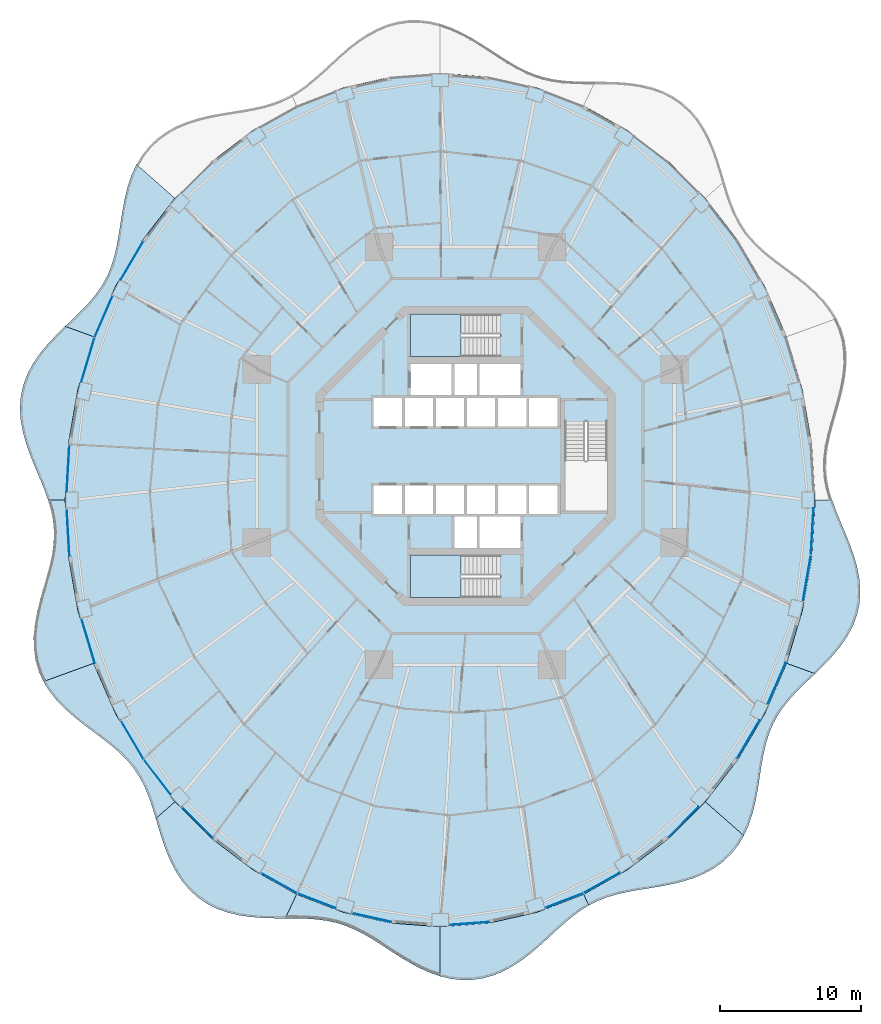
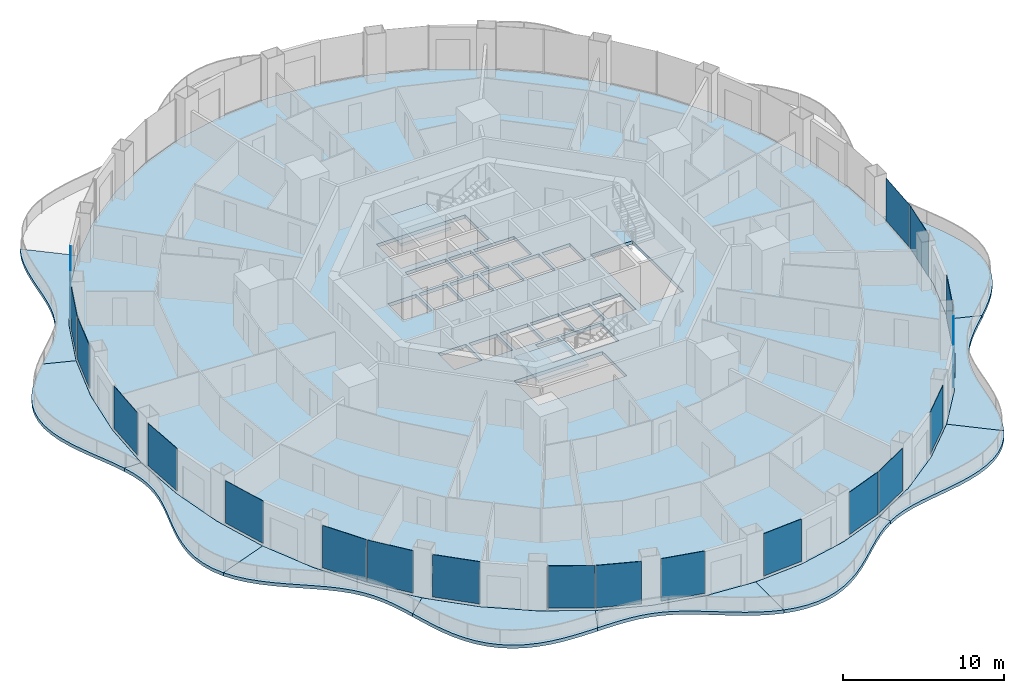
# One storey, part 11 of 21: 20 plates, 13 slabs, 22 elements without a shape of their own.
"""IFC4 building model written with IfcOpenShell, lengths in metres."""

from ifc_helpers import new_model, si_unit, direction, frame, origin, origin_2d, place, context, subcontext, project, spatial, polyline, rectangle, outline, extrude, material, layer, layer_set, type_object, element, aggregate, save


model = new_model("IFC4")

# Units and contexts
model_context = context("Model", 3, precision=1e-05, world=origin(), true_north=direction((0.0, 1.0)))
body_context = subcontext(model_context, "Body", "Model", "MODEL_VIEW")
ifc_project = project(units=[si_unit("LENGTHUNIT", "METRE"), si_unit("AREAUNIT", "SQUARE_METRE"), si_unit("VOLUMEUNIT", "CUBIC_METRE"), si_unit("PLANEANGLEUNIT", "RADIAN"), si_unit("MASSUNIT", "GRAM", prefix="KILO")], contexts=[model_context])

# Site, building, storey
site_placement = place(None, origin())
site = spatial("IfcSite", under=ifc_project, at=site_placement, CompositionType="ELEMENT")
building_placement = place(site_placement, origin())
building = spatial("IfcBuilding", under=site, at=building_placement, Name="Nagisa Residences", CompositionType="ELEMENT")
storey_placement = place(building_placement, frame((0.0, 0.0, 156.60009765625)))
storey = spatial("IfcBuildingStorey", under=building, at=storey_placement, Name="L39", CompositionType="ELEMENT", Elevation=156.60009765625)

# Slabs
ifc_material_1 = material(Name="Concrete C40/50", Category="concrete")
ifc_layer_1 = layer(ifc_material_1, 0.25)
ifc_layer_set_1 = layer_set([ifc_layer_1], Name="BALCONY SLAB 250")
slab_type_1 = type_object("IfcSlabType", Name="BALCONY SLAB 250", PredefinedType="FLOOR", material=ifc_layer_set_1)
slab_1_placement = place(storey_placement, frame((0.0, 0.0, -0.25)))
element("IfcSlab", 1, at=slab_1_placement, inside=storey, type_object=slab_type_1, Name="slab:L39:bal06", PredefinedType="FLOOR", context=body_context, shape_type="SweptSolid", body=[
    extrude(outline(polyline([(-23.28857421875, 20.62841796875), (-23.631103515625, 19.866943359375), (-23.899169921875, 19.0615234375), (-24.105224609375, 18.22802734375), (-24.265625, 17.382568359375), (-24.399169921875, 16.54052734375), (-24.526123046875, 15.71533203125), (-24.666748046875, 14.91796875), (-24.83984375, 14.156005859375), (-25.061279296875, 13.43359375), (-25.34326171875, 12.751220703125), (-25.693359375, 12.10595703125), (-26.11279296875, 11.4921875), (-26.59814453125, 10.90185546875), (-27.1396484375, 10.324951171875), (-27.722900390625, 9.751220703125), (-28.32958984375, 9.170654296875), (-26.315185546875, 8.4375), (-24.780029296875, 11.979736328125), (-22.8515625, 15.263916015625), (-20.56298828125, 18.2333984375), (-23.28857421875, 20.62841796875)])), origin(), (0.0, 0.0, 1.0), 0.25),
])
slab_2_placement = place(storey_placement, frame((0.0, 0.0, -0.25)))
element("IfcSlab", 2, at=slab_2_placement, inside=storey, type_object=slab_type_1, Name="slab:L39:bal07", PredefinedType="FLOOR", context=body_context, shape_type="SweptSolid", body=[
    extrude(outline(polyline([(-28.32958984375, 9.170654296875), (-28.95751953125, 8.554443359375), (-29.562255859375, 7.912841796875), (-30.119140625, 7.23974609375), (-30.604736328125, 6.531982421875), (-30.999755859375, 5.789794921875), (-31.2890625, 5.015380859375), (-31.46435546875, 4.213623046875), (-31.52392578125, 3.39111328125), (-31.472412109375, 2.555908203125), (-31.321533203125, 1.715576171875), (-31.088623046875, 0.877685546875), (-30.7958984375, 0.048828125), (-30.46826171875, -0.7666015625), (-30.13232421875, -1.56591796875), (-29.8134765625, -2.348876953125), (-29.535888671875, -3.11767578125), (-28.3349609375, -3.11767578125), (-28.10791015625, 0.823486328125), (-27.430908203125, 4.697265625), (-26.315185546875, 8.4375), (-28.32958984375, 9.170654296875)])), origin(), (0.0, 0.0, 1.0), 0.25),
])
slab_3_placement = place(storey_placement, frame((0.0, 0.0, -0.25)))
element("IfcSlab", 3, at=slab_3_placement, inside=storey, type_object=slab_type_1, Name="slab:L39:bal08", PredefinedType="FLOOR", context=body_context, shape_type="SweptSolid", body=[
    extrude(outline(polyline([(-29.535888671875, -3.11767578125), (-29.31884765625, -3.875732421875), (-29.176513671875, -4.62841796875), (-29.116943359375, -5.3818359375), (-29.140869140625, -6.141845703125), (-29.24267578125, -6.9140625), (-29.409423828125, -7.702880859375), (-29.623046875, -8.510498046875), (-29.861572265625, -9.337158203125), (-30.09912109375, -10.1806640625), (-30.31005859375, -11.035888671875), (-30.46923828125, -11.896484375), (-30.5537109375, -12.75390625), (-30.545166015625, -13.598388671875), (-30.4306640625, -14.4208984375), (-30.203857421875, -15.212158203125), (-29.86474609375, -15.96484375), (-26.315185546875, -14.6728515625), (-27.430908203125, -10.9326171875), (-28.10791015625, -7.058837890625), (-28.3349609375, -3.11767578125), (-29.535888671875, -3.11767578125)])), origin(), (0.0, 0.0, 1.0), 0.25),
])
slab_4_placement = place(storey_placement, frame((0.0, 0.0, -0.25)))
element("IfcSlab", 4, at=slab_4_placement, inside=storey, type_object=slab_type_1, Name="slab:L39:bal09", PredefinedType="FLOOR", context=body_context, shape_type="SweptSolid", body=[
    extrude(outline(polyline([(-29.86474609375, -15.96484375), (-29.43505859375, -16.65283203125), (-28.91796875, -17.2978515625), (-28.329345703125, -17.900634765625), (-27.688720703125, -18.465087890625), (-27.017822265625, -18.998046875), (-26.338623046875, -19.50830078125), (-25.672119140625, -20.00732421875), (-25.03759765625, -20.5068359375), (-24.449951171875, -21.019775390625), (-23.92041015625, -21.557373046875), (-23.4541015625, -22.13037109375), (-23.052001953125, -22.74560546875), (-22.70849609375, -23.407470703125), (-22.414306640625, -24.116455078125), (-22.155029296875, -24.86865234375), (-21.91455078125, -25.65625), (-20.56298828125, -24.46875), (-22.8515625, -21.499267578125), (-24.780029296875, -18.215087890625), (-26.315185546875, -14.6728515625), (-29.86474609375, -15.96484375)])), origin(), (0.0, 0.0, 1.0), 0.25),
])
slab_5_placement = place(storey_placement, frame((0.0, 0.0, -0.25)))
element("IfcSlab", 5, at=slab_5_placement, inside=storey, type_object=slab_type_1, Name="slab:L39:bal10", PredefinedType="FLOOR", context=body_context, shape_type="SweptSolid", body=[
    extrude(outline(polyline([(-21.91455078125, -25.65625), (-21.685546875, -26.429443359375), (-21.4404296875, -27.211181640625), (-21.163818359375, -27.987060546875), (-20.842041015625, -28.7412109375), (-20.4638671875, -29.457763671875), (-20.021484375, -30.121826171875), (-19.510986328125, -30.72021484375), (-18.931884765625, -31.242431640625), (-18.287353515625, -31.681640625), (-17.584228515625, -32.03466796875), (-16.83203125, -32.303466796875), (-16.042236328125, -32.493408203125), (-15.227294921875, -32.614990234375), (-14.400146484375, -32.681396484375), (-13.572998046875, -32.708984375), (-12.756591796875, -32.716064453125), (-11.95458984375, -31.01416015625), (-15.0673828125, -29.267333984375), (-17.953369140625, -27.072998046875), (-20.56298828125, -24.46875), (-21.91455078125, -25.65625)])), origin(), (0.0, 0.0, 1.0), 0.25),
])
slab_6_placement = place(storey_placement, frame((0.0, 0.0, -0.25)))
element("IfcSlab", 6, at=slab_6_placement, inside=storey, type_object=slab_type_1, Name="slab:L39:bal11", PredefinedType="FLOOR", context=body_context, shape_type="SweptSolid", body=[
    extrude(outline(polyline([(-12.756591796875, -32.716064453125), (-11.988037109375, -32.72119140625), (-11.24267578125, -32.741455078125), (-10.523193359375, -32.791259765625), (-9.830322265625, -32.8837890625), (-9.161376953125, -33.028076171875), (-8.512451171875, -33.229736328125), (-7.877685546875, -33.490478515625), (-7.250244140625, -33.806640625), (-6.62255859375, -34.1708984375), (-5.987548828125, -34.572021484375), (-5.339599609375, -34.995361328125), (-4.67333984375, -35.423828125), (-3.986328125, -35.83837890625), (-3.277099609375, -36.219970703125), (-2.54736328125, -36.550048828125), (-1.800048828125, -36.811767578125), (-1.800048828125, -33.312744140625), (-5.263427734375, -33.054443359375), (-8.667724609375, -32.283935546875), (-11.95458984375, -31.01416015625), (-12.756591796875, -32.716064453125)])), origin(), (0.0, 0.0, 1.0), 0.25),
])
slab_7_placement = place(storey_placement, frame((0.0, 0.0, -0.25)))
element("IfcSlab", 7, at=slab_7_placement, inside=storey, type_object=slab_type_1, Name="slab:L39:bal12", PredefinedType="FLOOR", context=body_context, shape_type="SweptSolid", body=[
    extrude(outline(polyline([(-1.800048828125, -36.811767578125), (-1.040283203125, -36.9912109375), (-0.274658203125, -37.078125), (0.489990234375, -37.06591796875), (1.24609375, -36.953125), (1.986328125, -36.742431640625), (2.705078125, -36.44091796875), (3.397705078125, -36.060302734375), (4.061767578125, -35.61474609375), (4.69677734375, -35.121826171875), (5.3046875, -34.599365234375), (5.8896484375, -34.06640625), (6.4580078125, -33.541259765625), (7.016845703125, -33.039794921875), (7.574951171875, -32.57568359375), (8.14111328125, -32.1591796875), (8.723388671875, -31.796875), (8.3544921875, -31.01416015625), (5.06787109375, -32.283935546875), (1.66357421875, -33.054443359375), (-1.800048828125, -33.312744140625), (-1.800048828125, -36.811767578125)])), origin(), (0.0, 0.0, 1.0), 0.25),
])
slab_8_placement = place(storey_placement, frame((0.0, 0.0, -0.25)))
element("IfcSlab", 8, at=slab_8_placement, inside=storey, type_object=slab_type_1, Name="slab:L39:bal13", PredefinedType="FLOOR", context=body_context, shape_type="SweptSolid", body=[
    extrude(outline(polyline([(8.723388671875, -31.796875), (9.3525390625, -31.480712890625), (10.012939453125, -31.22265625), (10.708251953125, -31.01611328125), (11.438720703125, -30.8505859375), (12.201171875, -30.7119140625), (12.98974609375, -30.583984375), (13.795166015625, -30.449951171875), (14.605712890625, -30.292236328125), (15.40771484375, -30.09521484375), (16.1865234375, -29.844970703125), (16.92822265625, -29.530029296875), (17.618896484375, -29.1435546875), (18.247314453125, -28.68115234375), (18.804443359375, -28.14404296875), (19.285400390625, -27.53564453125), (19.6884765625, -26.86376953125), (16.963134765625, -24.46875), (14.353515625, -27.072998046875), (11.467529296875, -29.267333984375), (8.3544921875, -31.01416015625), (8.723388671875, -31.796875)])), origin(), (0.0, 0.0, 1.0), 0.25),
])
slab_9_placement = place(storey_placement, frame((0.0, 0.0, -0.25)))
element("IfcSlab", 9, at=slab_9_placement, inside=storey, type_object=slab_type_1, Name="slab:L39:bal14", PredefinedType="FLOOR", context=body_context, shape_type="SweptSolid", body=[
    extrude(outline(polyline([(19.6884765625, -26.86376953125), (20.031005859375, -26.102294921875), (20.299072265625, -25.296875), (20.505126953125, -24.46337890625), (20.66552734375, -23.617919921875), (20.799072265625, -22.77587890625), (20.926025390625, -21.95068359375), (21.066650390625, -21.1533203125), (21.23974609375, -20.391357421875), (21.461181640625, -19.6689453125), (21.743408203125, -18.986572265625), (22.09326171875, -18.34130859375), (22.512939453125, -17.727783203125), (22.998046875, -17.13720703125), (23.53955078125, -16.560302734375), (24.123046875, -15.986572265625), (24.7294921875, -15.406005859375), (22.715087890625, -14.6728515625), (21.179931640625, -18.215087890625), (19.251708984375, -21.499267578125), (16.963134765625, -24.46875), (19.6884765625, -26.86376953125)])), origin(), (0.0, 0.0, 1.0), 0.25),
])
slab_10_placement = place(storey_placement, frame((0.0, 0.0, -0.25)))
element("IfcSlab", 10, at=slab_10_placement, inside=storey, type_object=slab_type_1, Name="slab:L39:bal15", PredefinedType="FLOOR", context=body_context, shape_type="SweptSolid", body=[
    extrude(outline(polyline([(24.7294921875, -15.406005859375), (25.357421875, -14.7900390625), (25.96240234375, -14.148193359375), (26.51904296875, -13.47509765625), (27.0048828125, -12.767578125), (27.399658203125, -12.025146484375), (27.68896484375, -11.250732421875), (27.864501953125, -10.448974609375), (27.923828125, -9.62646484375), (27.872314453125, -8.791259765625), (27.721435546875, -7.950927734375), (27.48876953125, -7.11328125), (27.196044921875, -6.2841796875), (26.868408203125, -5.468994140625), (26.5322265625, -4.66943359375), (26.213623046875, -3.886474609375), (25.93603515625, -3.11767578125), (24.735107421875, -3.11767578125), (24.508056640625, -7.058837890625), (23.830810546875, -10.9326171875), (22.715087890625, -14.6728515625), (24.7294921875, -15.406005859375)])), origin(), (0.0, 0.0, 1.0), 0.25),
])

# Curtain wall, plate
ifc_material_2 = material(Name="Concrete-coloured aluminium curtain wall system", Category="concrete")
ifc_layer_2 = layer(ifc_material_2, 0.159912109375)
ifc_layer_set_2 = layer_set([ifc_layer_2], Name="CW1 CURTAIN WALL")
curtain_wall_type = type_object("IfcCurtainWallType", Name="CW1 CURTAIN WALL", PredefinedType="NOTDEFINED", material=ifc_layer_set_2)
curtain_wall_1_placement = place(storey_placement, origin())
curtain_wall_1 = element("IfcCurtainWall", 11, at=curtain_wall_1_placement, inside=storey, type_object=curtain_wall_type, Name="cw:CW1:L39:19", PredefinedType="NOTDEFINED")
ifc_material_3 = material(Name="Clear laminated glass", Category="glass")
ifc_layer_3 = layer(ifc_material_3, 0.028076171875)
ifc_layer_set_3 = layer_set([ifc_layer_3], Name="CW1 GLASS PANEL")
plate_type = type_object("IfcPlateType", Name="CW1 GLASS PANEL", PredefinedType="CURTAIN_PANEL", material=ifc_layer_set_3)
plate_1_placement = place(storey_placement, frame((-23.610107421875, 13.814208984375, 0.14990234375), z_axis=(0.0, 0.0, 1.0), x_axis=(-0.506348567002, -0.862328898214, 0.0)))
plate_1 = element("IfcPlate", 12, at=plate_1_placement, type_object=plate_type, Name="CW1 panel", PredefinedType="CURTAIN_PANEL", context=body_context, shape_type="SweptSolid", body=[
    extrude(rectangle(XDim=3.1484375, YDim=0.028076171875, at=origin_2d()), origin(), (0.0, 0.0, 1.0), 3.199951171875),
])
aggregate(curtain_wall_1, [plate_1])

curtain_wall_2_placement = place(storey_placement, origin())
curtain_wall_2 = element("IfcCurtainWall", 13, at=curtain_wall_2_placement, inside=storey, type_object=curtain_wall_type, Name="cw:CW1:L39:20", PredefinedType="NOTDEFINED")
plate_2_placement = place(storey_placement, frame((-25.60546875, 9.8740234375, 0.14990234375), z_axis=(0.0, 0.0, 1.0), x_axis=(-0.397635934147, -0.917543276295, 0.0)))
plate_2 = element("IfcPlate", 14, at=plate_2_placement, type_object=plate_type, Name="CW1 panel", PredefinedType="CURTAIN_PANEL", context=body_context, shape_type="SweptSolid", body=[
    extrude(rectangle(XDim=3.20068359375, YDim=0.028076171875, at=origin_2d()), origin(), (0.0, 0.0, 1.0), 3.199951171875),
])
aggregate(curtain_wall_2, [plate_2])

curtain_wall_3_placement = place(storey_placement, origin())
curtain_wall_3 = element("IfcCurtainWall", 15, at=curtain_wall_3_placement, inside=storey, type_object=curtain_wall_type, Name="cw:CW1:L39:21", PredefinedType="NOTDEFINED")
plate_3_placement = place(storey_placement, frame((-26.71923828125, 6.80322265625, 0.14990234375), z_axis=(0.0, 0.0, 1.0), x_axis=(-0.285860274038, -0.958271310082, 0.0)))
plate_3 = element("IfcPlate", 16, at=plate_3_placement, type_object=plate_type, Name="CW1 panel", PredefinedType="CURTAIN_PANEL", context=body_context, shape_type="SweptSolid", body=[
    extrude(rectangle(XDim=3.242919921875, YDim=0.028076171875, at=origin_2d()), origin(), (0.0, 0.0, 1.0), 3.199951171875),
])
aggregate(curtain_wall_3, [plate_3])

curtain_wall_4_placement = place(storey_placement, origin())
curtain_wall_4 = element("IfcCurtainWall", 17, at=curtain_wall_4_placement, inside=storey, type_object=curtain_wall_type, Name="cw:CW1:L39:23", PredefinedType="NOTDEFINED")
plate_4_placement = place(storey_placement, frame((-28.126220703125, -0.882080078125, 0.14990234375), z_axis=(0.0, 0.0, 1.0), x_axis=(-0.057503492216, -0.998345305184, 0.0)))
plate_4 = element("IfcPlate", 18, at=plate_4_placement, type_object=plate_type, Name="CW1 panel", PredefinedType="CURTAIN_PANEL", context=body_context, shape_type="SweptSolid", body=[
    extrude(rectangle(XDim=3.287841796875, YDim=0.028076171875, at=origin_2d()), origin(), (0.0, 0.0, 1.0), 3.199951171875),
])
aggregate(curtain_wall_4, [plate_4])

curtain_wall_5_placement = place(storey_placement, origin())
curtain_wall_5 = element("IfcCurtainWall", 19, at=curtain_wall_5_placement, inside=storey, type_object=curtain_wall_type, Name="cw:CW1:L39:24", PredefinedType="NOTDEFINED")
plate_5_placement = place(storey_placement, frame((-28.12255859375, -5.4130859375, 0.14990234375), z_axis=(0.0, 0.0, 1.0), x_axis=(0.057503492216, -0.998345305184, 0.0)))
plate_5 = element("IfcPlate", 20, at=plate_5_placement, type_object=plate_type, Name="CW1 panel", PredefinedType="CURTAIN_PANEL", context=body_context, shape_type="SweptSolid", body=[
    extrude(rectangle(XDim=3.287841796875, YDim=0.028076171875, at=origin_2d()), origin(), (0.0, 0.0, 1.0), 3.199951171875),
])
aggregate(curtain_wall_5, [plate_5])

curtain_wall_6_placement = place(storey_placement, origin())
curtain_wall_6 = element("IfcCurtainWall", 21, at=curtain_wall_6_placement, inside=storey, type_object=curtain_wall_type, Name="cw:CW1:L39:26", PredefinedType="NOTDEFINED")
plate_6_placement = place(storey_placement, frame((-26.701904296875, -13.09619140625, 0.14990234375), z_axis=(0.0, 0.0, 1.0), x_axis=(0.285860274038, -0.958271310082, 0.0)))
plate_6 = element("IfcPlate", 22, at=plate_6_placement, type_object=plate_type, Name="CW1 panel", PredefinedType="CURTAIN_PANEL", context=body_context, shape_type="SweptSolid", body=[
    extrude(rectangle(XDim=3.242919921875, YDim=0.028076171875, at=origin_2d()), origin(), (0.0, 0.0, 1.0), 3.199951171875),
])
aggregate(curtain_wall_6, [plate_6])

curtain_wall_7_placement = place(storey_placement, origin())
curtain_wall_7 = element("IfcCurtainWall", 23, at=curtain_wall_7_placement, inside=storey, type_object=curtain_wall_type, Name="cw:CW1:L39:28", PredefinedType="NOTDEFINED")
plate_7_placement = place(storey_placement, frame((-23.579833984375, -20.101318359375, 0.14990234375), z_axis=(0.0, 0.0, 1.0), x_axis=(0.506348567002, -0.862328898214, 0.0)))
plate_7 = element("IfcPlate", 24, at=plate_7_placement, type_object=plate_type, Name="CW1 panel", PredefinedType="CURTAIN_PANEL", context=body_context, shape_type="SweptSolid", body=[
    extrude(rectangle(XDim=3.1484375, YDim=0.028076171875, at=origin_2d()), origin(), (0.0, 0.0, 1.0), 3.199951171875),
])
aggregate(curtain_wall_7, [plate_7])

curtain_wall_8_placement = place(storey_placement, origin())
curtain_wall_8 = element("IfcCurtainWall", 25, at=curtain_wall_8_placement, inside=storey, type_object=curtain_wall_type, Name="cw:CW1:L39:29", PredefinedType="NOTDEFINED")
plate_8_placement = place(storey_placement, frame((-21.808837890625, -22.721435546875, 0.14990234375), z_axis=(0.0, 0.0, 1.0), x_axis=(0.610429828235, -0.792070340816, 0.0)))
plate_8 = element("IfcPlate", 26, at=plate_8_placement, type_object=plate_type, Name="CW1 panel", PredefinedType="CURTAIN_PANEL", context=body_context, shape_type="SweptSolid", body=[
    extrude(rectangle(XDim=3.089111328125, YDim=0.028076171875, at=origin_2d()), origin(), (0.0, 0.0, 1.0), 3.199951171875),
])
aggregate(curtain_wall_8, [plate_8])

curtain_wall_9_placement = place(storey_placement, origin())
curtain_wall_9 = element("IfcCurtainWall", 27, at=curtain_wall_9_placement, inside=storey, type_object=curtain_wall_type, Name="cw:CW1:L39:30", PredefinedType="NOTDEFINED")
plate_9_placement = place(storey_placement, frame((-18.96826171875, -25.947265625, 0.14990234375), z_axis=(0.0, 0.0, 1.0), x_axis=(0.707835924016, -0.706376885714, 0.0)))
plate_9 = element("IfcPlate", 28, at=plate_9_placement, type_object=plate_type, Name="CW1 panel", PredefinedType="CURTAIN_PANEL", context=body_context, shape_type="SweptSolid", body=[
    extrude(rectangle(XDim=3.026611328125, YDim=0.028076171875, at=origin_2d()), origin(), (0.0, 0.0, 1.0), 3.199951171875),
])
aggregate(curtain_wall_9, [plate_9])

curtain_wall_10_placement = place(storey_placement, origin())
curtain_wall_10 = element("IfcCurtainWall", 29, at=curtain_wall_10_placement, inside=storey, type_object=curtain_wall_type, Name="cw:CW1:L39:32", PredefinedType="NOTDEFINED")
plate_10_placement = place(storey_placement, frame((-13.18408203125, -30.232421875, 0.14990234375), z_axis=(0.0, 0.0, 1.0), x_axis=(0.872072377523, -0.489376918501, 0.0)))
plate_10 = element("IfcPlate", 30, at=plate_10_placement, type_object=plate_type, Name="CW1 panel", PredefinedType="CURTAIN_PANEL", context=body_context, shape_type="SweptSolid", body=[
    extrude(rectangle(XDim=2.90966796875, YDim=0.028076171875, at=origin_2d()), origin(), (0.0, 0.0, 1.0), 3.199951171875),
])
aggregate(curtain_wall_10, [plate_10])

curtain_wall_11_placement = place(storey_placement, origin())
curtain_wall_11 = element("IfcCurtainWall", 31, at=curtain_wall_11_placement, inside=storey, type_object=curtain_wall_type, Name="cw:CW1:L39:33", PredefinedType="NOTDEFINED")
plate_11_placement = place(storey_placement, frame((-10.5341796875, -31.47705078125, 0.14990234375), z_axis=(0.0, 0.0, 1.0), x_axis=(0.932825759707, -0.360327770268, 0.0)))
plate_11 = element("IfcPlate", 32, at=plate_11_placement, type_object=plate_type, Name="CW1 panel", PredefinedType="CURTAIN_PANEL", context=body_context, shape_type="SweptSolid", body=[
    extrude(rectangle(XDim=2.863525390625, YDim=0.028076171875, at=origin_2d()), origin(), (0.0, 0.0, 1.0), 3.199951171875),
])
aggregate(curtain_wall_11, [plate_11])

curtain_wall_12_placement = place(storey_placement, origin())
curtain_wall_12 = element("IfcCurtainWall", 33, at=curtain_wall_12_placement, inside=storey, type_object=curtain_wall_type, Name="cw:CW1:L39:34", PredefinedType="NOTDEFINED")
plate_12_placement = place(storey_placement, frame((-6.626220703125, -32.663818359375, 0.14990234375), z_axis=(0.0, 0.0, 1.0), x_axis=(0.975327274089, -0.2207639201, 0.0)))
plate_12 = element("IfcPlate", 34, at=plate_12_placement, type_object=plate_type, Name="CW1 panel", PredefinedType="CURTAIN_PANEL", context=body_context, shape_type="SweptSolid", body=[
    extrude(rectangle(XDim=2.830322265625, YDim=0.028076171875, at=origin_2d()), origin(), (0.0, 0.0, 1.0), 3.199951171875),
])
aggregate(curtain_wall_12, [plate_12])

curtain_wall_13_placement = place(storey_placement, origin())
curtain_wall_13 = element("IfcCurtainWall", 35, at=curtain_wall_13_placement, inside=storey, type_object=curtain_wall_type, Name="cw:CW1:L39:36", PredefinedType="NOTDEFINED")
plate_13_placement = place(storey_placement, frame((0.2548828125, -33.0791015625, 0.14990234375), z_axis=(0.0, 0.0, 1.0), x_axis=(0.997230168512, 0.074377355493, 0.0)))
plate_13 = element("IfcPlate", 36, at=plate_13_placement, type_object=plate_type, Name="CW1 panel", PredefinedType="CURTAIN_PANEL", context=body_context, shape_type="SweptSolid", body=[
    extrude(rectangle(XDim=2.813232421875, YDim=0.028076171875, at=origin_2d()), origin(), (0.0, 0.0, 1.0), 3.199951171875),
])
aggregate(curtain_wall_13, [plate_13])

curtain_wall_14_placement = place(storey_placement, origin())
curtain_wall_14 = element("IfcCurtainWall", 37, at=curtain_wall_14_placement, inside=storey, type_object=curtain_wall_type, Name="cw:CW1:L39:38", PredefinedType="NOTDEFINED")
plate_14_placement = place(storey_placement, frame((6.990234375, -31.45556640625, 0.14990234375), z_axis=(0.0, 0.0, 1.0), x_axis=(0.932825759707, 0.360327770268, 0.0)))
plate_14 = element("IfcPlate", 38, at=plate_14_placement, type_object=plate_type, Name="CW1 panel", PredefinedType="CURTAIN_PANEL", context=body_context, shape_type="SweptSolid", body=[
    extrude(rectangle(XDim=2.863525390625, YDim=0.028076171875, at=origin_2d()), origin(), (0.0, 0.0, 1.0), 3.199951171875),
])
aggregate(curtain_wall_14, [plate_14])

curtain_wall_15_placement = place(storey_placement, origin())
curtain_wall_15 = element("IfcCurtainWall", 39, at=curtain_wall_15_placement, inside=storey, type_object=curtain_wall_type, Name="cw:CW1:L39:39", PredefinedType="NOTDEFINED")
plate_15_placement = place(storey_placement, frame((9.636474609375, -30.203125, 0.14990234375), z_axis=(0.0, 0.0, 1.0), x_axis=(0.872072377523, 0.489376918501, 0.0)))
plate_15 = element("IfcPlate", 40, at=plate_15_placement, type_object=plate_type, Name="CW1 panel", PredefinedType="CURTAIN_PANEL", context=body_context, shape_type="SweptSolid", body=[
    extrude(rectangle(XDim=2.90966796875, YDim=0.028076171875, at=origin_2d()), origin(), (0.0, 0.0, 1.0), 3.199951171875),
])
aggregate(curtain_wall_15, [plate_15])

curtain_wall_16_placement = place(storey_placement, origin())
curtain_wall_16 = element("IfcCurtainWall", 41, at=curtain_wall_16_placement, inside=storey, type_object=curtain_wall_type, Name="cw:CW1:L39:41", PredefinedType="NOTDEFINED")
plate_16_placement = place(storey_placement, frame((15.41064453125, -25.905029296875, 0.14990234375), z_axis=(0.0, 0.0, 1.0), x_axis=(0.707835924016, 0.706376885714, 0.0)))
plate_16 = element("IfcPlate", 42, at=plate_16_placement, type_object=plate_type, Name="CW1 panel", PredefinedType="CURTAIN_PANEL", context=body_context, shape_type="SweptSolid", body=[
    extrude(rectangle(XDim=3.026611328125, YDim=0.028076171875, at=origin_2d()), origin(), (0.0, 0.0, 1.0), 3.199951171875),
])
aggregate(curtain_wall_16, [plate_16])

curtain_wall_17_placement = place(storey_placement, origin())
curtain_wall_17 = element("IfcCurtainWall", 43, at=curtain_wall_17_placement, inside=storey, type_object=curtain_wall_type, Name="cw:CW1:L39:43", PredefinedType="NOTDEFINED")
plate_17_placement = place(storey_placement, frame((20.010009765625, -20.049560546875, 0.14990234375), z_axis=(0.0, 0.0, 1.0), x_axis=(0.506348567002, 0.862328898214, 0.0)))
plate_17 = element("IfcPlate", 44, at=plate_17_placement, type_object=plate_type, Name="CW1 panel", PredefinedType="CURTAIN_PANEL", context=body_context, shape_type="SweptSolid", body=[
    extrude(rectangle(XDim=3.1484375, YDim=0.028076171875, at=origin_2d()), origin(), (0.0, 0.0, 1.0), 3.199951171875),
])
aggregate(curtain_wall_17, [plate_17])

curtain_wall_18_placement = place(storey_placement, origin())
curtain_wall_18 = element("IfcCurtainWall", 45, at=curtain_wall_18_placement, inside=storey, type_object=curtain_wall_type, Name="cw:CW1:L39:44", PredefinedType="NOTDEFINED")
plate_18_placement = place(storey_placement, frame((22.00537109375, -16.109375, 0.14990234375), z_axis=(0.0, 0.0, 1.0), x_axis=(0.397635934147, 0.917543276295, 0.0)))
plate_18 = element("IfcPlate", 46, at=plate_18_placement, type_object=plate_type, Name="CW1 panel", PredefinedType="CURTAIN_PANEL", context=body_context, shape_type="SweptSolid", body=[
    extrude(rectangle(XDim=3.20068359375, YDim=0.028076171875, at=origin_2d()), origin(), (0.0, 0.0, 1.0), 3.199951171875),
])
aggregate(curtain_wall_18, [plate_18])

curtain_wall_19_placement = place(storey_placement, origin())
curtain_wall_19 = element("IfcCurtainWall", 47, at=curtain_wall_19_placement, inside=storey, type_object=curtain_wall_type, Name="cw:CW1:L39:46", PredefinedType="NOTDEFINED")
plate_19_placement = place(storey_placement, frame((24.1474609375, -8.656982421875, 0.14990234375), z_axis=(0.0, 0.0, 1.0), x_axis=(0.172190868898, 0.985063604377, 0.0)))
plate_19 = element("IfcPlate", 48, at=plate_19_placement, type_object=plate_type, Name="CW1 panel", PredefinedType="CURTAIN_PANEL", context=body_context, shape_type="SweptSolid", body=[
    extrude(rectangle(XDim=3.2724609375, YDim=0.028076171875, at=origin_2d()), origin(), (0.0, 0.0, 1.0), 3.199951171875),
])
aggregate(curtain_wall_19, [plate_19])

curtain_wall_20_placement = place(storey_placement, origin())
curtain_wall_20 = element("IfcCurtainWall", 49, at=curtain_wall_20_placement, inside=storey, type_object=curtain_wall_type, Name="cw:CW1:L39:47", PredefinedType="NOTDEFINED")
plate_20_placement = place(storey_placement, frame((24.526123046875, -5.353271484375, 0.14990234375), z_axis=(0.0, 0.0, 1.0), x_axis=(0.057503492216, 0.998345305184, 0.0)))
plate_20 = element("IfcPlate", 50, at=plate_20_placement, type_object=plate_type, Name="CW1 panel", PredefinedType="CURTAIN_PANEL", context=body_context, shape_type="SweptSolid", body=[
    extrude(rectangle(XDim=3.287841796875, YDim=0.028076171875, at=origin_2d()), origin(), (0.0, 0.0, 1.0), 3.199951171875),
])
aggregate(curtain_wall_20, [plate_20])

# Slab
ifc_material_4 = material(Name="Concrete C40", Category="concrete")
ifc_layer_4 = layer(ifc_material_4, 0.260009765625)
ifc_layer_set_4 = layer_set([ifc_layer_4], Name="Floor slab 260")
slab_type_2 = type_object("IfcSlabType", Name="Floor slab 260", PredefinedType="FLOOR", material=ifc_layer_set_4)
slab_11_placement = place(storey_placement, frame((0.0, 0.0, -0.260009765625)))
element("IfcSlab", 51, at=slab_11_placement, inside=storey, type_object=slab_type_2, Name="slab:L39:floor", PredefinedType="FLOOR", context=body_context, shape_type="SweptSolid", body=[
    extrude(outline(polyline([(24.735107421875, -3.11767578125), (24.508056640625, 0.823486328125), (23.830810546875, 4.697265625), (22.715087890625, 8.4375), (21.179931640625, 11.979736328125), (19.251708984375, 15.263916015625), (16.963134765625, 18.2333984375), (14.353515625, 20.837646484375), (11.467529296875, 23.031982421875), (8.3544921875, 24.77880859375), (5.06787109375, 26.04833984375), (1.66357421875, 26.819091796875), (-1.800048828125, 27.077392578125), (-5.263427734375, 26.819091796875), (-8.667724609375, 26.04833984375), (-11.95458984375, 24.77880859375), (-15.0673828125, 23.031982421875), (-17.953369140625, 20.837646484375), (-20.56298828125, 18.2333984375), (-22.8515625, 15.263916015625), (-24.780029296875, 11.979736328125), (-26.315185546875, 8.4375), (-27.430908203125, 4.697265625), (-28.10791015625, 0.823486328125), (-28.3349609375, -3.11767578125), (-28.10791015625, -7.058837890625), (-27.430908203125, -10.9326171875), (-26.315185546875, -14.6728515625), (-24.780029296875, -18.215087890625), (-22.8515625, -21.499267578125), (-20.56298828125, -24.46875), (-17.953369140625, -27.072998046875), (-15.0673828125, -29.267333984375), (-11.95458984375, -31.01416015625), (-8.667724609375, -32.283935546875), (-5.263427734375, -33.054443359375), (-1.800048828125, -33.312744140625), (1.66357421875, -33.054443359375), (5.06787109375, -32.283935546875), (8.3544921875, -31.01416015625), (11.467529296875, -29.267333984375), (14.353515625, -27.072998046875), (16.963134765625, -24.46875), (19.251708984375, -21.499267578125), (21.179931640625, -18.215087890625), (22.715087890625, -14.6728515625), (23.830810546875, -10.9326171875), (24.508056640625, -7.058837890625), (24.735107421875, -3.11767578125)]), holes=[polyline([(-4.5, 2.10009765625), (-4.5, 4.10009765625), (-6.5, 4.10009765625), (-6.5, 2.10009765625), (-4.5, 2.10009765625)]), polyline([(-2.300048828125, 2.10009765625), (-2.300048828125, 4.10009765625), (-4.300048828125, 4.10009765625), (-4.300048828125, 2.10009765625), (-2.300048828125, 2.10009765625)]), polyline([(-0.10009765625, 2.10009765625), (-0.10009765625, 4.10009765625), (-2.10009765625, 4.10009765625), (-2.10009765625, 2.10009765625), (-0.10009765625, 2.10009765625)]), polyline([(2.10009765625, 2.10009765625), (2.10009765625, 4.10009765625), (0.10009765625, 4.10009765625), (0.10009765625, 2.10009765625), (2.10009765625, 2.10009765625)]), polyline([(4.300048828125, 2.10009765625), (4.300048828125, 4.10009765625), (2.300048828125, 4.10009765625), (2.300048828125, 2.10009765625), (4.300048828125, 2.10009765625)]), polyline([(6.5, 2.10009765625), (6.5, 4.10009765625), (4.5, 4.10009765625), (4.5, 2.10009765625), (6.5, 2.10009765625)]), polyline([(-4.5, -4.10009765625), (-4.5, -2.10009765625), (-6.5, -2.10009765625), (-6.5, -4.10009765625), (-4.5, -4.10009765625)]), polyline([(-2.300048828125, -4.10009765625), (-2.300048828125, -2.10009765625), (-4.300048828125, -2.10009765625), (-4.300048828125, -4.10009765625), (-2.300048828125, -4.10009765625)]), polyline([(-0.10009765625, -4.10009765625), (-0.10009765625, -2.10009765625), (-2.10009765625, -2.10009765625), (-2.10009765625, -4.10009765625), (-0.10009765625, -4.10009765625)]), polyline([(2.10009765625, -4.10009765625), (2.10009765625, -2.10009765625), (0.10009765625, -2.10009765625), (0.10009765625, -4.10009765625), (2.10009765625, -4.10009765625)]), polyline([(4.300048828125, -4.10009765625), (4.300048828125, -2.10009765625), (2.300048828125, -2.10009765625), (2.300048828125, -4.10009765625), (4.300048828125, -4.10009765625)]), polyline([(6.5, -4.10009765625), (6.5, -2.10009765625), (4.5, -2.10009765625), (4.5, -4.10009765625), (6.5, -4.10009765625)]), polyline([(3.89990234375, 4.300048828125), (3.89990234375, 6.5), (1.0, 6.5), (1.0, 4.300048828125), (3.89990234375, 4.300048828125)]), polyline([(3.89990234375, -6.5), (3.89990234375, -4.300048828125), (1.0, -4.300048828125), (1.0, -6.5), (3.89990234375, -6.5)]), polyline([(-1.0, 4.300048828125), (-1.0, 6.5), (-3.89990234375, 6.5), (-3.89990234375, 4.300048828125), (-1.0, 4.300048828125)]), polyline([(0.800048828125, 4.300048828125), (0.800048828125, 6.5), (-0.800048828125, 6.5), (-0.800048828125, 4.300048828125), (0.800048828125, 4.300048828125)]), polyline([(0.800048828125, -6.5), (0.800048828125, -4.300048828125), (-0.800048828125, -4.300048828125), (-0.800048828125, -6.5), (0.800048828125, -6.5)]), polyline([(10.024658203125, -3.89990234375), (7.024658203125, -3.89990234375), (7.024658203125, 2.425048828125), (10.024658203125, 2.425048828125), (10.024658203125, -3.89990234375)]), polyline([(-3.89990234375, 7.024658203125), (-3.89990234375, 10.024658203125), (2.425048828125, 10.024658203125), (2.425048828125, 7.024658203125), (-3.89990234375, 7.024658203125)]), polyline([(-3.89990234375, -10.024658203125), (-3.89990234375, -7.024658203125), (2.425048828125, -7.024658203125), (2.425048828125, -10.024658203125), (-3.89990234375, -10.024658203125)])]), origin(), (0.0, 0.0, 1.0), 0.260009765625),
])

# Stair, slab
ifc_material_5 = material(Name="Concrete C60", Category="concrete")
stair_type = type_object("IfcStairType", Name="Exit stair", PredefinedType="HALF_TURN_STAIR", material=ifc_material_5)
stair_1_placement = place(storey_placement, origin())
stair_1 = element("IfcStair", 52, at=stair_1_placement, inside=storey, type_object=stair_type, Name="L39 Exit stair N", PredefinedType="HALF_TURN_STAIR")
ifc_material_6 = material(Name="Concrete C60", Category="concrete")
ifc_layer_5 = layer(ifc_material_6, 0.199951171875)
ifc_layer_set_5 = layer_set([ifc_layer_5], Name="Stair landing")
slab_type_3 = type_object("IfcSlabType", Name="Stair landing", PredefinedType="LANDING", material=ifc_layer_set_5)
slab_12_placement = place(storey_placement, frame((0.0, 0.0, 1.64990234375)))
slab_12 = element("IfcSlab", 53, at=slab_12_placement, type_object=slab_type_3, Name="ST-N landing 1", PredefinedType="LANDING", context=body_context, shape_type="SweptSolid", body=[
    extrude(outline(polyline([(-0.324951171875, 10.024658203125), (-3.89990234375, 10.024658203125), (-3.89990234375, 7.024658203125), (-0.324951171875, 7.024658203125), (-0.324951171875, 10.024658203125)])), origin(), (0.0, 0.0, 1.0), 0.199951171875),
])
aggregate(stair_1, [slab_12])

stair_2_placement = place(storey_placement, origin())
stair_2 = element("IfcStair", 54, at=stair_2_placement, inside=storey, type_object=stair_type, Name="L39 Exit stair S", PredefinedType="HALF_TURN_STAIR")
slab_13_placement = place(storey_placement, frame((0.0, 0.0, 1.64990234375)))
slab_13 = element("IfcSlab", 55, at=slab_13_placement, type_object=slab_type_3, Name="ST-S landing 1", PredefinedType="LANDING", context=body_context, shape_type="SweptSolid", body=[
    extrude(outline(polyline([(-0.324951171875, -7.024658203125), (-3.89990234375, -7.024658203125), (-3.89990234375, -10.024658203125), (-0.324951171875, -10.024658203125), (-0.324951171875, -7.024658203125)])), origin(), (0.0, 0.0, 1.0), 0.199951171875),
])
aggregate(stair_2, [slab_13])

save(model, "model.ifc")
